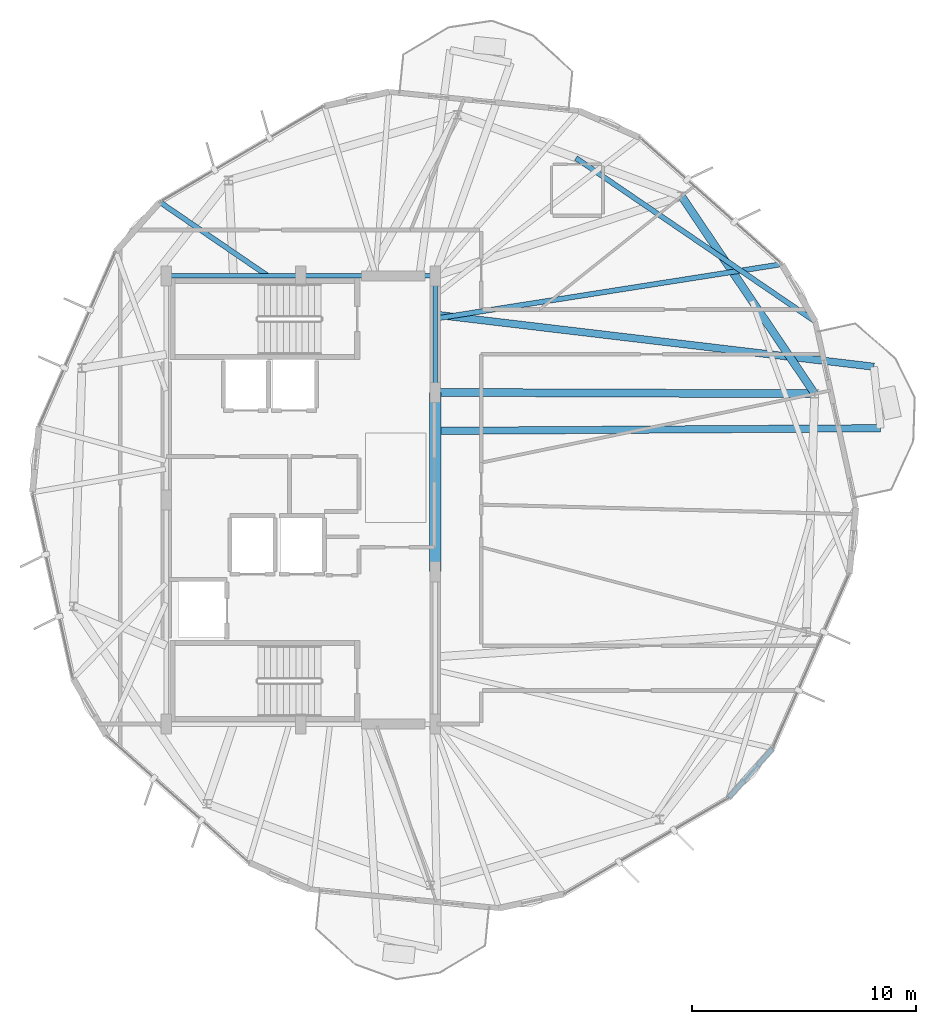
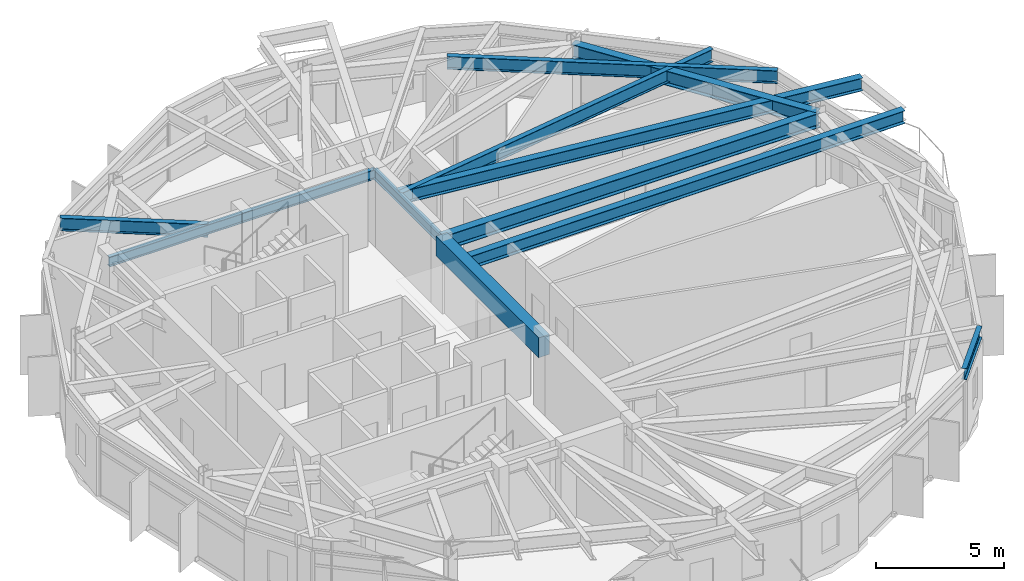
# One storey, part 11 of 25: 12 beams.
"""IFC4 building model written with IfcOpenShell, lengths in metres."""

from ifc_helpers import new_model, si_unit, direction, frame, origin, origin_2d, place, context, subcontext, project, spatial, rectangle, i_section, extrude, material, material_profile, profile_set, type_object, element, save


model = new_model("IFC4")

# Units and contexts
model_context = context("Model", 3, precision=1e-05, world=origin(), true_north=direction((0.0, 1.0)))
body_context = subcontext(model_context, "Body", "Model", "MODEL_VIEW")
ifc_project = project(units=[si_unit("LENGTHUNIT", "METRE"), si_unit("AREAUNIT", "SQUARE_METRE"), si_unit("VOLUMEUNIT", "CUBIC_METRE"), si_unit("PLANEANGLEUNIT", "RADIAN"), si_unit("MASSUNIT", "GRAM", prefix="KILO")], contexts=[model_context])

# Site, building, storey
site_placement = place(None, origin())
site = spatial("IfcSite", under=ifc_project, at=site_placement, CompositionType="ELEMENT")
building_placement = place(site_placement, origin())
building = spatial("IfcBuilding", under=site, at=building_placement, Name="Soratama Intermodal Tower", CompositionType="ELEMENT")
storey_placement = place(building_placement, frame((0.0, 0.0, 276.25)))
storey = spatial("IfcBuildingStorey", under=building, at=storey_placement, Name="L70", CompositionType="ELEMENT", Elevation=276.25)

# Beams
ifc_material_1 = material(Name="Structural steel ASTM A992 Grade 50", Category="steel")
ifc_material_profile_1 = material_profile(ifc_material_1, i_section(OverallWidth=0.324951171875, OverallDepth=0.615966796875, WebThickness=0.013916015625, FlangeThickness=0.021484375, FilletRadius=0.013916015625, at=origin_2d()), Name="W24X117")
ifc_profile_set_1 = profile_set([ifc_material_profile_1], Name="Structural steel ASTM A992 Grade 50")
beam_type_1 = type_object("IfcBeamType", Name="BM-CANT-W24X117", PredefinedType="BEAM", material=ifc_profile_set_1)
beam_1_placement = place(storey_placement, frame((44.8349609375, 28.0849609375, 3.14208984375), z_axis=(0.999981963312, 0.006006084389, 0.0), x_axis=(-0.006006084389, 0.999981963312, 0.0)))
element("IfcBeam", 1, at=beam_1_placement, inside=storey, type_object=beam_type_1, Name="BM-L70-CANT-1-1", PredefinedType="BEAM", context=body_context, shape_type="SweptSolid", body=[
    extrude(i_section(OverallWidth=0.324951171875, OverallDepth=0.615966796875, WebThickness=0.013916015625, FlangeThickness=0.021484375, FilletRadius=0.013916015625, at=origin_2d()), origin(), (0.0, 0.0, 1.0), 19.63330078125),
])
beam_2_placement = place(storey_placement, frame((44.639892578125, 33.26611328125, 3.14208984375), z_axis=(0.993022015151, -0.117929120345, 0.0), x_axis=(0.117929120345, 0.993022015151, 0.0)))
element("IfcBeam", 2, at=beam_2_placement, inside=storey, type_object=beam_type_1, Name="BM-L70-CANT-1-2", PredefinedType="BEAM", context=body_context, shape_type="SweptSolid", body=[
    extrude(i_section(OverallWidth=0.324951171875, OverallDepth=0.615966796875, WebThickness=0.013916015625, FlangeThickness=0.021484375, FilletRadius=0.013916015625, at=origin_2d()), origin(), (0.0, 0.0, 1.0), 19.67333984375),
])
ifc_material_2 = material(Name="Concrete f'c 56 MPa", Category="concrete")
ifc_material_profile_2 = material_profile(ifc_material_2, rectangle(XDim=0.5, YDim=0.949951171875, at=origin_2d()), Name="RC500X950")
ifc_profile_set_2 = profile_set([ifc_material_profile_2], Name="Concrete f'c 56 MPa")
beam_type_2 = type_object("IfcBeamType", Name="BM-CPL-RC500X950", PredefinedType="BEAM", material=ifc_profile_set_2)
beam_3_placement = place(storey_placement, frame((44.60009765625, 21.800048828125, 2.97509765625), z_axis=(0.0, 1.0, 0.0), x_axis=(-1.0, 0.0, 0.0)))
element("IfcBeam", 3, at=beam_3_placement, inside=storey, type_object=beam_type_2, Name="L70 Core Coupling Beam East", PredefinedType="BEAM", context=body_context, shape_type="SweptSolid", body=[
    extrude(rectangle(XDim=0.5, YDim=0.949951171875, at=origin_2d()), origin(), (0.0, 0.0, 1.0), 8.0),
])
ifc_material_3 = material(Name="Structural steel ASTM A992 Grade 50", Category="steel")
ifc_material_profile_3 = material_profile(ifc_material_3, i_section(OverallWidth=0.19091796875, OverallDepth=0.4599609375, WebThickness=0.010009765625, FlangeThickness=0.01611328125, FilletRadius=0.010986328125, at=origin_2d()), Name="W18X55")
ifc_profile_set_3 = profile_set([ifc_material_profile_3], Name="Structural steel ASTM A992 Grade 50")
beam_type_3 = type_object("IfcBeamType", Name="BM-FLR-W18X55", PredefinedType="BEAM", material=ifc_profile_set_3)
beam_4_placement = place(storey_placement, frame((44.60009765625, 29.800048828125, 3.219970703125), z_axis=(0.0, 1.0, 0.0), x_axis=(-1.0, 0.0, 0.0)))
element("IfcBeam", 4, at=beam_4_placement, inside=storey, type_object=beam_type_3, Name="BM-L70-CRING-05", PredefinedType="BEAM", context=body_context, shape_type="SweptSolid", body=[
    extrude(i_section(OverallWidth=0.19091796875, OverallDepth=0.4599609375, WebThickness=0.010009765625, FlangeThickness=0.01611328125, FilletRadius=0.010986328125, at=origin_2d()), origin(), (0.0, 0.0, 1.0), 5.199951171875),
])
for number, where, z_axis, x_axis, name in (
    (5, (44.60009765625, 35.0, 3.219970703125), (-1.0, 0.0, 0.0), (0.0, -1.0, 0.0), "BM-L70-CRING-06"),
    (6, (38.60009765625, 35.0, 3.219970703125), (-1.0, 0.0, 0.0), (0.0, -1.0, 0.0), "BM-L70-CRING-07"),
):
    element("IfcBeam", number, at=place(storey_placement, frame(where, z_axis=z_axis, x_axis=x_axis)), inside=storey, type_object=beam_type_3, Name=name, PredefinedType="BEAM", context=body_context, shape_type="SweptSolid", body=[
        extrude(i_section(OverallWidth=0.19091796875, OverallDepth=0.4599609375, WebThickness=0.010009765625, FlangeThickness=0.01611328125, FilletRadius=0.010986328125, at=origin_2d()), origin(), (0.0, 0.0, 1.0), 6.0),
    ])
ifc_material_4 = material(Name="Structural steel ASTM A992 Grade 50", Category="steel")
ifc_material_profile_4 = material_profile(ifc_material_4, i_section(OverallWidth=0.35498046875, OverallDepth=0.695068359375, WebThickness=0.015380859375, FlangeThickness=0.02490234375, FilletRadius=0.01611328125, at=origin_2d()), Name="W27X146")
ifc_profile_set_4 = profile_set([ifc_material_profile_4], Name="Structural steel ASTM A992 Grade 50")
beam_type_4 = type_object("IfcBeamType", Name="BM-RING-W27X146", PredefinedType="BEAM", material=ifc_profile_set_4)
beam_5_placement = place(storey_placement, frame((61.533935546875, 29.740966796875, 3.1025390625), z_axis=(-0.559218025165, 0.829020627204, 0.0), x_axis=(-0.829020627204, -0.559218025165, 0.0)))
element("IfcBeam", 7, at=beam_5_placement, inside=storey, type_object=beam_type_4, Name="BM-L70-RING-01", PredefinedType="BEAM", context=body_context, shape_type="SweptSolid", body=[
    extrude(i_section(OverallWidth=0.35498046875, OverallDepth=0.695068359375, WebThickness=0.015380859375, FlangeThickness=0.02490234375, FilletRadius=0.01611328125, at=origin_2d()), origin(), (0.0, 0.0, 1.0), 10.630615234375),
])
beam_6_placement = place(storey_placement, frame((44.60009765625, 29.800048828125, 3.1025390625), z_axis=(0.999993913522, -0.003488971138, 0.0), x_axis=(0.003488971138, 0.999993913522, 0.0)))
element("IfcBeam", 8, at=beam_6_placement, inside=storey, type_object=beam_type_4, Name="BM-L70-RAD-01", PredefinedType="BEAM", context=body_context, shape_type="SweptSolid", body=[
    extrude(i_section(OverallWidth=0.35498046875, OverallDepth=0.695068359375, WebThickness=0.015380859375, FlangeThickness=0.02490234375, FilletRadius=0.01611328125, at=origin_2d()), origin(), (0.0, 0.0, 1.0), 16.933837890625),
])
ifc_material_5 = material(Name="Structural steel ASTM A992 Grade 50", Category="steel")
ifc_material_profile_5 = material_profile(ifc_material_5, i_section(OverallWidth=0.2099609375, OverallDepth=0.537109375, WebThickness=0.010986328125, FlangeThickness=0.017333984375, FilletRadius=0.012939453125, at=origin_2d()), Name="W21X68")
ifc_profile_set_5 = profile_set([ifc_material_profile_5], Name="Structural steel ASTM A992 Grade 50")
beam_type_5 = type_object("IfcBeamType", Name="BM-SPN-W21X68", PredefinedType="SPANDREL", material=ifc_profile_set_5)
beam_7_placement = place(storey_placement, frame((57.68994140625, 11.70703125, 3.181396484375), z_axis=(0.665333641073, 0.746546144627, 0.0), x_axis=(-0.746546144627, 0.665333641073, 0.0)))
element("IfcBeam", 9, at=beam_7_placement, inside=storey, type_object=beam_type_5, Name="BS-L70-CRN07", PredefinedType="SPANDREL", context=body_context, shape_type="SweptSolid", body=[
    extrude(i_section(OverallWidth=0.2099609375, OverallDepth=0.537109375, WebThickness=0.010986328125, FlangeThickness=0.017333984375, FilletRadius=0.012939453125, at=origin_2d()), origin(), (0.0, 0.0, 1.0), 2.967041015625),
])
ifc_material_6 = material(Name="Structural steel ASTM A992 Grade 50", Category="steel")
ifc_material_profile_6 = material_profile(ifc_material_6, i_section(OverallWidth=0.22900390625, OverallDepth=0.612060546875, WebThickness=0.011962890625, FlangeThickness=0.01953125, FilletRadius=0.012939453125, at=origin_2d()), Name="W24X84")
ifc_profile_set_6 = profile_set([ifc_material_profile_6], Name="Structural steel ASTM A992 Grade 50")
beam_type_6 = type_object("IfcBeamType", Name="BM-TIE-W24X84", PredefinedType="BEAM", material=ifc_profile_set_6)
beam_8_placement = place(storey_placement, frame((37.09912109375, 35.02294921875, 3.14404296875), z_axis=(-0.825845932132, 0.563895820503, 0.0), x_axis=(-0.563895820503, -0.825845932132, 0.0)))
element("IfcBeam", 10, at=beam_8_placement, inside=storey, type_object=beam_type_6, Name="BM-L70-TIE1-02", PredefinedType="BEAM", context=body_context, shape_type="SweptSolid", body=[
    extrude(i_section(OverallWidth=0.22900390625, OverallDepth=0.612060546875, WebThickness=0.011962890625, FlangeThickness=0.01953125, FilletRadius=0.012939453125, at=origin_2d()), origin(), (0.0, 0.0, 1.0), 5.799072265625),
])
beam_9_placement = place(storey_placement, frame((50.881103515625, 40.257080078125, 3.14404296875), z_axis=(0.825781902694, -0.563989582513, 0.0), x_axis=(0.563989582513, 0.825781902694, 0.0)))
element("IfcBeam", 11, at=beam_9_placement, inside=storey, type_object=beam_type_6, Name="BM-L70-TIE1-09", PredefinedType="BEAM", context=body_context, shape_type="SweptSolid", body=[
    extrude(i_section(OverallWidth=0.22900390625, OverallDepth=0.612060546875, WebThickness=0.011962890625, FlangeThickness=0.01953125, FilletRadius=0.012939453125, at=origin_2d()), origin(), (0.0, 0.0, 1.0), 12.936767578125),
])
beam_10_placement = place(storey_placement, frame((44.639892578125, 33.09912109375, 3.14404296875), z_axis=(0.987881200862, 0.155211897042, 0.0), x_axis=(-0.155211897042, 0.987881200862, 0.0)))
element("IfcBeam", 12, at=beam_10_placement, inside=storey, type_object=beam_type_6, Name="BM-L70-TIE0-10", PredefinedType="BEAM", context=body_context, shape_type="SweptSolid", body=[
    extrude(i_section(OverallWidth=0.22900390625, OverallDepth=0.612060546875, WebThickness=0.011962890625, FlangeThickness=0.01953125, FilletRadius=0.012939453125, at=origin_2d()), origin(), (0.0, 0.0, 1.0), 15.6162109375),
])

save(model, "model.ifc")
